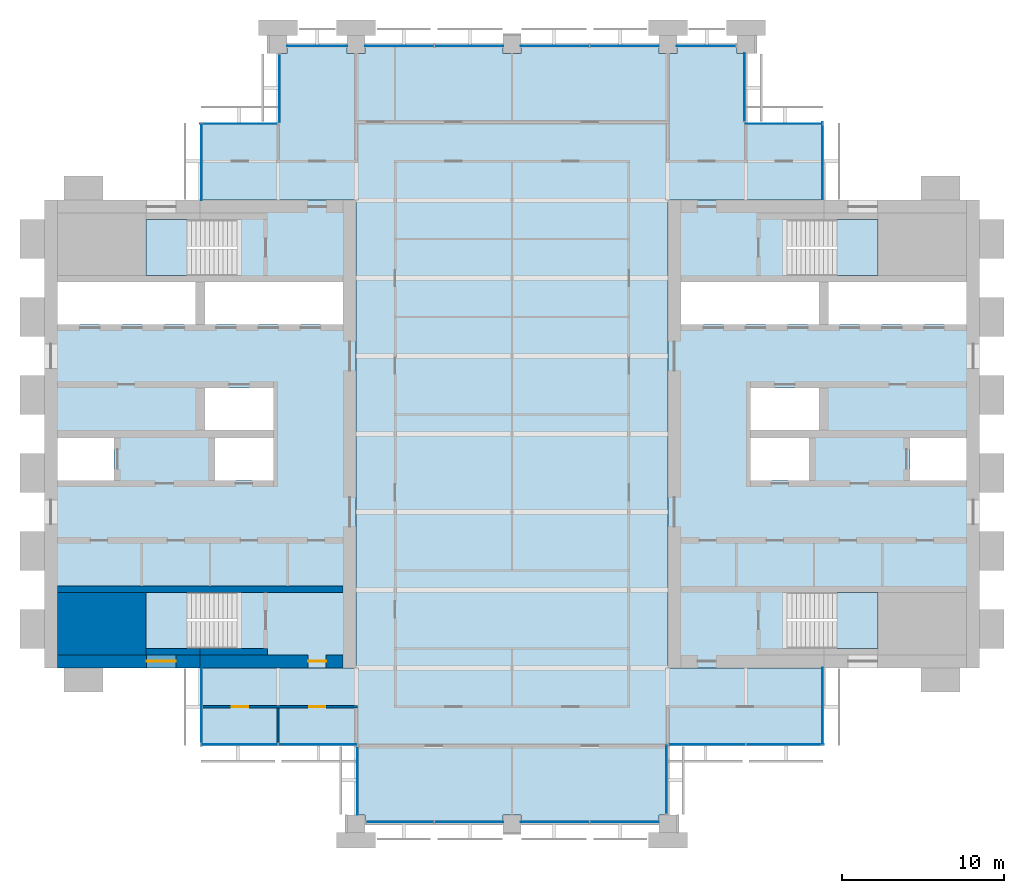
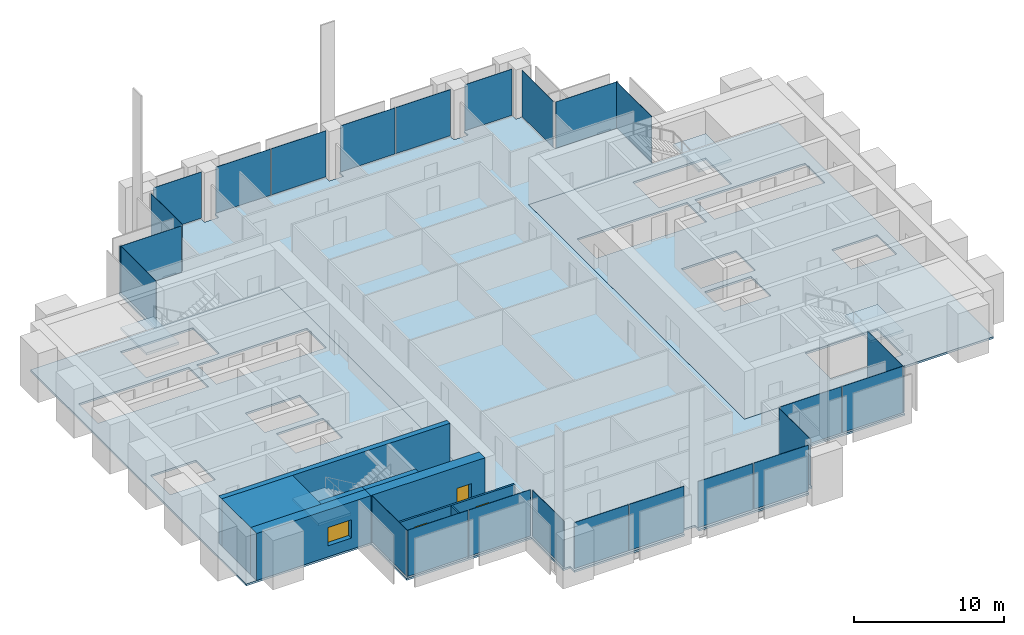
# One storey, part 7 of 13: 24 plates, 8 walls, 7 slabs, 3 doors, 1 window, 4 openings, 18 elements without a shape of their own.
"""IFC4 building model written with IfcOpenShell, lengths in metres."""

from ifc_helpers import new_model, si_unit, direction, frame, frame_2d, origin, origin_2d, place, context, subcontext, project, spatial, polyline, rectangle, outline, extrude, material, layer, layer_set, type_object, element, fill, aggregate, save


model = new_model("IFC4")

# Units and contexts
model_context = context("Model", 3, precision=1e-05, world=origin(), true_north=direction((0.0, 1.0)))
body_context = subcontext(model_context, "Body", "Model", "MODEL_VIEW")
ifc_project = project(units=[si_unit("LENGTHUNIT", "METRE"), si_unit("AREAUNIT", "SQUARE_METRE"), si_unit("VOLUMEUNIT", "CUBIC_METRE"), si_unit("PLANEANGLEUNIT", "RADIAN"), si_unit("MASSUNIT", "GRAM", prefix="KILO")], contexts=[model_context])

# Site, building, storey
site_placement = place(None, origin())
site = spatial("IfcSite", under=ifc_project, at=site_placement, CompositionType="ELEMENT")
building_placement = place(site_placement, origin())
building = spatial("IfcBuilding", under=site, at=building_placement, Name="Baori Bourse Tower", CompositionType="ELEMENT")
storey_placement = place(building_placement, frame((0.0, 0.0, 201.199951171875)))
storey = spatial("IfcBuildingStorey", under=building, at=storey_placement, Name="L43", CompositionType="ELEMENT", Elevation=201.199951171875)

# Curtain wall, plate
ifc_material_1 = material(Name="Pale anodised aluminium", Category="aluminium")
curtain_wall_type_1 = type_object("IfcCurtainWallType", Name="CW2 Curtain wall", PredefinedType="NOTDEFINED", material=ifc_material_1)
curtain_wall_1_placement = place(storey_placement, origin())
curtain_wall_1 = element("IfcCurtainWall", 1, at=curtain_wall_1_placement, inside=storey, type_object=curtain_wall_type_1, Name="Curtain wall CW2 L43 1", PredefinedType="NOTDEFINED")
ifc_material_2 = material(Name="Clear glass", Category="glass")
ifc_layer_1 = layer(ifc_material_2, 0.030029296875)
ifc_layer_set_1 = layer_set([ifc_layer_1], Name="CW2 Curtain wall panel")
plate_type_1 = type_object("IfcPlateType", Name="CW2 Curtain wall panel", PredefinedType="CURTAIN_PANEL", material=ifc_layer_set_1)
plate_1_placement = place(storey_placement, frame((47.909912109375, 40.827392578125, 0.070068359375), z_axis=(0.0, 0.0, 1.0), x_axis=(0.0, 1.0, 0.0)))
plate_1 = element("IfcPlate", 2, at=plate_1_placement, type_object=plate_type_1, Name="Curtain wall CW2 panel", PredefinedType="CURTAIN_PANEL", context=body_context, shape_type="SweptSolid", body=[
    extrude(rectangle(XDim=4.7451171875, YDim=0.030029296875, at=origin_2d()), origin(), (0.0, 0.0, 1.0), 3.77001953125),
])
aggregate(curtain_wall_1, [plate_1])

curtain_wall_2_placement = place(storey_placement, origin())
curtain_wall_2 = element("IfcCurtainWall", 3, at=curtain_wall_2_placement, inside=storey, type_object=curtain_wall_type_1, Name="Curtain wall CW2 L43 2", PredefinedType="NOTDEFINED")
plate_2_placement = place(storey_placement, frame((45.572509765625, 43.110107421875, 0.070068359375), z_axis=(0.0, 0.0, 1.0), x_axis=(-1.0, 0.0, 0.0)))
plate_2 = element("IfcPlate", 4, at=plate_2_placement, type_object=plate_type_1, Name="Curtain wall CW2 panel", PredefinedType="CURTAIN_PANEL", context=body_context, shape_type="SweptSolid", body=[
    extrude(rectangle(XDim=4.7451171875, YDim=0.030029296875, at=origin_2d()), origin(), (0.0, 0.0, 1.0), 3.77001953125),
])
aggregate(curtain_wall_2, [plate_2])

curtain_wall_3_placement = place(storey_placement, origin())
curtain_wall_3 = element("IfcCurtainWall", 5, at=curtain_wall_3_placement, inside=storey, type_object=curtain_wall_type_1, Name="Curtain wall CW2 L43 3", PredefinedType="NOTDEFINED")
plate_3_placement = place(storey_placement, frame((43.110107421875, 45.3525390625, 0.070068359375), z_axis=(0.0, 0.0, 1.0), x_axis=(0.0, 1.0, 0.0)))
plate_3 = element("IfcPlate", 6, at=plate_3_placement, type_object=plate_type_1, Name="Curtain wall CW2 panel", PredefinedType="CURTAIN_PANEL", context=body_context, shape_type="SweptSolid", body=[
    extrude(rectangle(XDim=4.195068359375, YDim=0.030029296875, at=origin_2d()), origin(), (0.0, 0.0, 1.0), 3.77001953125),
])
aggregate(curtain_wall_3, [plate_3])

curtain_wall_4_placement = place(storey_placement, origin())
curtain_wall_4 = element("IfcCurtainWall", 7, at=curtain_wall_4_placement, inside=storey, type_object=curtain_wall_type_1, Name="Curtain wall CW2 L43 5", PredefinedType="NOTDEFINED")
plate_4_placement = place(storey_placement, frame((14.489990234375, 45.297607421875, 0.070068359375), z_axis=(0.0, 0.0, 1.0), x_axis=(0.0, -1.0, 0.0)))
plate_4 = element("IfcPlate", 8, at=plate_4_placement, type_object=plate_type_1, Name="Curtain wall CW2 panel", PredefinedType="CURTAIN_PANEL", context=body_context, shape_type="SweptSolid", body=[
    extrude(rectangle(XDim=4.195068359375, YDim=0.030029296875, at=origin_2d()), origin(), (0.0, 0.0, 1.0), 3.77001953125),
])
aggregate(curtain_wall_4, [plate_4])

curtain_wall_5_placement = place(storey_placement, origin())
curtain_wall_5 = element("IfcCurtainWall", 9, at=curtain_wall_5_placement, inside=storey, type_object=curtain_wall_type_1, Name="Curtain wall CW2 L43 6", PredefinedType="NOTDEFINED")
plate_5_placement = place(storey_placement, frame((11.972412109375, 43.110107421875, 0.070068359375), z_axis=(0.0, 0.0, 1.0), x_axis=(-1.0, 0.0, 0.0)))
plate_5 = element("IfcPlate", 10, at=plate_5_placement, type_object=plate_type_1, Name="Curtain wall CW2 panel", PredefinedType="CURTAIN_PANEL", context=body_context, shape_type="SweptSolid", body=[
    extrude(rectangle(XDim=4.7451171875, YDim=0.030029296875, at=origin_2d()), origin(), (0.0, 0.0, 1.0), 3.77001953125),
])
aggregate(curtain_wall_5, [plate_5])

curtain_wall_6_placement = place(storey_placement, origin())
curtain_wall_6 = element("IfcCurtainWall", 11, at=curtain_wall_6_placement, inside=storey, type_object=curtain_wall_type_1, Name="Curtain wall CW2 L43 7", PredefinedType="NOTDEFINED")
plate_6_placement = place(storey_placement, frame((9.68994140625, 40.7724609375, 0.070068359375), z_axis=(0.0, 0.0, 1.0), x_axis=(0.0, -1.0, 0.0)))
plate_6 = element("IfcPlate", 12, at=plate_6_placement, type_object=plate_type_1, Name="Curtain wall CW2 panel", PredefinedType="CURTAIN_PANEL", context=body_context, shape_type="SweptSolid", body=[
    extrude(rectangle(XDim=4.7451171875, YDim=0.030029296875, at=origin_2d()), origin(), (0.0, 0.0, 1.0), 3.77001953125),
])
aggregate(curtain_wall_6, [plate_6])

curtain_wall_7_placement = place(storey_placement, origin())
curtain_wall_7 = element("IfcCurtainWall", 13, at=curtain_wall_7_placement, inside=storey, type_object=curtain_wall_type_1, Name="Curtain wall CW2 L43 8", PredefinedType="NOTDEFINED")
plate_7_placement = place(storey_placement, frame((9.68994140625, 7.172607421875, 0.070068359375), z_axis=(0.0, 0.0, 1.0), x_axis=(0.0, -1.0, 0.0)))
plate_7 = element("IfcPlate", 14, at=plate_7_placement, type_object=plate_type_1, Name="Curtain wall CW2 panel", PredefinedType="CURTAIN_PANEL", context=body_context, shape_type="SweptSolid", body=[
    extrude(rectangle(XDim=4.7451171875, YDim=0.030029296875, at=origin_2d()), origin(), (0.0, 0.0, 1.0), 3.77001953125),
])
aggregate(curtain_wall_7, [plate_7])

# Curtain wall, plates
curtain_wall_8_placement = place(storey_placement, origin())
curtain_wall_8 = element("IfcCurtainWall", 15, at=curtain_wall_8_placement, inside=storey, type_object=curtain_wall_type_1, Name="Curtain wall CW2 L43 9", PredefinedType="NOTDEFINED")
plate_8_placement = place(storey_placement, frame((12.013671875, 4.889892578125, 0.070068359375), z_axis=(0.0, 0.0, 1.0), x_axis=(1.0, 0.0, 0.0)))
plate_8 = element("IfcPlate", 16, at=plate_8_placement, type_object=plate_type_1, Name="Curtain wall CW2 panel", PredefinedType="CURTAIN_PANEL", context=body_context, shape_type="SweptSolid", body=[
    extrude(rectangle(XDim=4.717529296875, YDim=0.030029296875, at=origin_2d()), origin(), (0.0, 0.0, 1.0), 3.77001953125),
])
plate_9_placement = place(storey_placement, frame((16.813720703125, 4.889892578125, 0.070068359375), z_axis=(0.0, 0.0, 1.0), x_axis=(1.0, 0.0, 0.0)))
plate_9 = element("IfcPlate", 17, at=plate_9_placement, type_object=plate_type_1, Name="Curtain wall CW2 panel", PredefinedType="CURTAIN_PANEL", context=body_context, shape_type="SweptSolid", body=[
    extrude(rectangle(XDim=4.7724609375, YDim=0.030029296875, at=origin_2d()), origin(), (0.0, 0.0, 1.0), 3.77001953125),
])
aggregate(curtain_wall_8, [plate_8, plate_9])

# Curtain wall, plate
curtain_wall_9_placement = place(storey_placement, origin())
curtain_wall_9 = element("IfcCurtainWall", 18, at=curtain_wall_9_placement, inside=storey, type_object=curtain_wall_type_1, Name="Curtain wall CW2 L43 10", PredefinedType="NOTDEFINED")
plate_10_placement = place(storey_placement, frame((19.2900390625, 2.6474609375, 0.070068359375), z_axis=(0.0, 0.0, 1.0), x_axis=(0.0, -1.0, 0.0)))
plate_10 = element("IfcPlate", 19, at=plate_10_placement, type_object=plate_type_1, Name="Curtain wall CW2 panel", PredefinedType="CURTAIN_PANEL", context=body_context, shape_type="SweptSolid", body=[
    extrude(rectangle(XDim=4.195068359375, YDim=0.030029296875, at=origin_2d()), origin(), (0.0, 0.0, 1.0), 3.77001953125),
])
aggregate(curtain_wall_9, [plate_10])

curtain_wall_10_placement = place(storey_placement, origin())
curtain_wall_10 = element("IfcCurtainWall", 20, at=curtain_wall_10_placement, inside=storey, type_object=curtain_wall_type_1, Name="Curtain wall CW2 L43 12", PredefinedType="NOTDEFINED")
plate_11_placement = place(storey_placement, frame((38.31005859375, 2.702392578125, 0.070068359375), z_axis=(0.0, 0.0, 1.0), x_axis=(0.0, 1.0, 0.0)))
plate_11 = element("IfcPlate", 21, at=plate_11_placement, type_object=plate_type_1, Name="Curtain wall CW2 panel", PredefinedType="CURTAIN_PANEL", context=body_context, shape_type="SweptSolid", body=[
    extrude(rectangle(XDim=4.195068359375, YDim=0.030029296875, at=origin_2d()), origin(), (0.0, 0.0, 1.0), 3.77001953125),
])
aggregate(curtain_wall_10, [plate_11])

# Curtain wall, plates
curtain_wall_11_placement = place(storey_placement, origin())
curtain_wall_11 = element("IfcCurtainWall", 22, at=curtain_wall_11_placement, inside=storey, type_object=curtain_wall_type_1, Name="Curtain wall CW2 L43 13", PredefinedType="NOTDEFINED")
plate_12_placement = place(storey_placement, frame((40.813720703125, 4.889892578125, 0.070068359375), z_axis=(0.0, 0.0, 1.0), x_axis=(1.0, 0.0, 0.0)))
plate_12 = element("IfcPlate", 23, at=plate_12_placement, type_object=plate_type_1, Name="Curtain wall CW2 panel", PredefinedType="CURTAIN_PANEL", context=body_context, shape_type="SweptSolid", body=[
    extrude(rectangle(XDim=4.717529296875, YDim=0.030029296875, at=origin_2d()), origin(), (0.0, 0.0, 1.0), 3.77001953125),
])
plate_13_placement = place(storey_placement, frame((45.61376953125, 4.889892578125, 0.070068359375), z_axis=(0.0, 0.0, 1.0), x_axis=(1.0, 0.0, 0.0)))
plate_13 = element("IfcPlate", 24, at=plate_13_placement, type_object=plate_type_1, Name="Curtain wall CW2 panel", PredefinedType="CURTAIN_PANEL", context=body_context, shape_type="SweptSolid", body=[
    extrude(rectangle(XDim=4.7724609375, YDim=0.030029296875, at=origin_2d()), origin(), (0.0, 0.0, 1.0), 3.77001953125),
])
aggregate(curtain_wall_11, [plate_12, plate_13])

# Curtain wall, plate
curtain_wall_12_placement = place(storey_placement, origin())
curtain_wall_12 = element("IfcCurtainWall", 25, at=curtain_wall_12_placement, inside=storey, type_object=curtain_wall_type_1, Name="Curtain wall CW2 L43 14", PredefinedType="NOTDEFINED")
plate_14_placement = place(storey_placement, frame((47.909912109375, 7.2275390625, 0.070068359375), z_axis=(0.0, 0.0, 1.0), x_axis=(0.0, 1.0, 0.0)))
plate_14 = element("IfcPlate", 26, at=plate_14_placement, type_object=plate_type_1, Name="Curtain wall CW2 panel", PredefinedType="CURTAIN_PANEL", context=body_context, shape_type="SweptSolid", body=[
    extrude(rectangle(XDim=4.7451171875, YDim=0.030029296875, at=origin_2d()), origin(), (0.0, 0.0, 1.0), 3.77001953125),
])
aggregate(curtain_wall_12, [plate_14])

# Curtain wall, plates
ifc_material_3 = material(Name="Pale anodised aluminium", Category="aluminium")
curtain_wall_type_2 = type_object("IfcCurtainWallType", Name="CW5 Curtain wall", PredefinedType="NOTDEFINED", material=ifc_material_3)
curtain_wall_13_placement = place(storey_placement, origin())
curtain_wall_13 = element("IfcCurtainWall", 27, at=curtain_wall_13_placement, inside=storey, type_object=curtain_wall_type_2, Name="Curtain wall CW5 L43 4", PredefinedType="NOTDEFINED")
ifc_material_4 = material(Name="Clear glass", Category="glass")
ifc_layer_2 = layer(ifc_material_4, 0.035888671875)
ifc_layer_set_2 = layer_set([ifc_layer_2], Name="CW5 Curtain wall panel")
plate_type_2 = type_object("IfcPlateType", Name="CW5 Curtain wall panel", PredefinedType="CURTAIN_PANEL", material=ifc_layer_set_2)
plate_15_placement = place(storey_placement, frame((40.767578125, 47.889892578125, 0.085205078125), z_axis=(0.0, 0.0, 1.0), x_axis=(-1.0, 0.0, 0.0)))
plate_15 = element("IfcPlate", 28, at=plate_15_placement, type_object=plate_type_2, Name="Curtain wall CW5 panel", PredefinedType="CURTAIN_PANEL", context=body_context, shape_type="SweptSolid", body=[
    extrude(rectangle(XDim=3.635009765625, YDim=0.035888671875, at=origin_2d()), origin(), (0.0, 0.0, 1.0), 3.7548828125),
])
plate_16_placement = place(storey_placement, frame((35.7412109375, 47.889892578125, 0.085205078125), z_axis=(0.0, 0.0, 1.0), x_axis=(-1.0, 0.0, 0.0)))
plate_16 = element("IfcPlate", 29, at=plate_16_placement, type_object=plate_type_2, Name="Curtain wall CW5 panel", PredefinedType="CURTAIN_PANEL", context=body_context, shape_type="SweptSolid", body=[
    extrude(rectangle(XDim=4.217529296875, YDim=0.035888671875, at=origin_2d()), origin(), (0.0, 0.0, 1.0), 3.7548828125),
])
plate_17_placement = place(storey_placement, frame((31.458740234375, 47.889892578125, 0.085205078125), z_axis=(0.0, 0.0, 1.0), x_axis=(-1.0, 0.0, 0.0)))
plate_17 = element("IfcPlate", 30, at=plate_17_placement, type_object=plate_type_2, Name="Curtain wall CW5 panel", PredefinedType="CURTAIN_PANEL", context=body_context, shape_type="SweptSolid", body=[
    extrude(rectangle(XDim=4.217529296875, YDim=0.035888671875, at=origin_2d()), origin(), (0.0, 0.0, 1.0), 3.7548828125),
])
plate_18_placement = place(storey_placement, frame((26.141357421875, 47.889892578125, 0.085205078125), z_axis=(0.0, 0.0, 1.0), x_axis=(-1.0, 0.0, 0.0)))
plate_18 = element("IfcPlate", 31, at=plate_18_placement, type_object=plate_type_2, Name="Curtain wall CW5 panel", PredefinedType="CURTAIN_PANEL", context=body_context, shape_type="SweptSolid", body=[
    extrude(rectangle(XDim=4.217529296875, YDim=0.035888671875, at=origin_2d()), origin(), (0.0, 0.0, 1.0), 3.7548828125),
])
plate_19_placement = place(storey_placement, frame((21.858642578125, 47.889892578125, 0.085205078125), z_axis=(0.0, 0.0, 1.0), x_axis=(-1.0, 0.0, 0.0)))
plate_19 = element("IfcPlate", 32, at=plate_19_placement, type_object=plate_type_2, Name="Curtain wall CW5 panel", PredefinedType="CURTAIN_PANEL", context=body_context, shape_type="SweptSolid", body=[
    extrude(rectangle(XDim=4.217529296875, YDim=0.035888671875, at=origin_2d()), origin(), (0.0, 0.0, 1.0), 3.7548828125),
])
plate_20_placement = place(storey_placement, frame((16.800048828125, 47.889892578125, 0.085205078125), z_axis=(0.0, 0.0, 1.0), x_axis=(-1.0, 0.0, 0.0)))
plate_20 = element("IfcPlate", 33, at=plate_20_placement, type_object=plate_type_2, Name="Curtain wall CW5 panel", PredefinedType="CURTAIN_PANEL", context=body_context, shape_type="SweptSolid", body=[
    extrude(rectangle(XDim=3.699951171875, YDim=0.035888671875, at=origin_2d()), origin(), (0.0, 0.0, 1.0), 3.7548828125),
])
aggregate(curtain_wall_13, [plate_15, plate_16, plate_17, plate_18, plate_19, plate_20])

curtain_wall_14_placement = place(storey_placement, origin())
curtain_wall_14 = element("IfcCurtainWall", 34, at=curtain_wall_14_placement, inside=storey, type_object=curtain_wall_type_2, Name="Curtain wall CW5 L43 11", PredefinedType="NOTDEFINED")
plate_21_placement = place(storey_placement, frame((21.891357421875, 0.110107421875, 0.085205078125), z_axis=(0.0, 0.0, 1.0), x_axis=(1.0, 0.0, 0.0)))
plate_21 = element("IfcPlate", 35, at=plate_21_placement, type_object=plate_type_2, Name="Curtain wall CW5 panel", PredefinedType="CURTAIN_PANEL", context=body_context, shape_type="SweptSolid", body=[
    extrude(rectangle(XDim=4.152587890625, YDim=0.035888671875, at=origin_2d()), origin(), (0.0, 0.0, 1.0), 3.7548828125),
])
plate_22_placement = place(storey_placement, frame((26.141357421875, 0.110107421875, 0.085205078125), z_axis=(0.0, 0.0, 1.0), x_axis=(1.0, 0.0, 0.0)))
plate_22 = element("IfcPlate", 36, at=plate_22_placement, type_object=plate_type_2, Name="Curtain wall CW5 panel", PredefinedType="CURTAIN_PANEL", context=body_context, shape_type="SweptSolid", body=[
    extrude(rectangle(XDim=4.217529296875, YDim=0.035888671875, at=origin_2d()), origin(), (0.0, 0.0, 1.0), 3.7548828125),
])
plate_23_placement = place(storey_placement, frame((31.458740234375, 0.110107421875, 0.085205078125), z_axis=(0.0, 0.0, 1.0), x_axis=(1.0, 0.0, 0.0)))
plate_23 = element("IfcPlate", 37, at=plate_23_placement, type_object=plate_type_2, Name="Curtain wall CW5 panel", PredefinedType="CURTAIN_PANEL", context=body_context, shape_type="SweptSolid", body=[
    extrude(rectangle(XDim=4.217529296875, YDim=0.035888671875, at=origin_2d()), origin(), (0.0, 0.0, 1.0), 3.7548828125),
])
plate_24_placement = place(storey_placement, frame((35.7412109375, 0.110107421875, 0.085205078125), z_axis=(0.0, 0.0, 1.0), x_axis=(1.0, 0.0, 0.0)))
plate_24 = element("IfcPlate", 38, at=plate_24_placement, type_object=plate_type_2, Name="Curtain wall CW5 panel", PredefinedType="CURTAIN_PANEL", context=body_context, shape_type="SweptSolid", body=[
    extrude(rectangle(XDim=4.217529296875, YDim=0.035888671875, at=origin_2d()), origin(), (0.0, 0.0, 1.0), 3.7548828125),
])
aggregate(curtain_wall_14, [plate_21, plate_22, plate_23, plate_24])

# Slabs
ifc_material_5 = material(Name="Concrete f'c 50 MPa", Category="concrete")
ifc_layer_3 = layer(ifc_material_5, 0.159912109375)
ifc_layer_set_3 = layer_set([ifc_layer_3], Name="Core slab 160")
slab_type_1 = type_object("IfcSlabType", Name="Core slab 160", PredefinedType="FLOOR", material=ifc_layer_set_3)
slab_1_placement = place(storey_placement, frame((0.0, 0.0, -0.159912109375)))
element("IfcSlab", 39, at=slab_1_placement, inside=storey, type_object=slab_type_1, Name="Core floor slab W01", PredefinedType="FLOOR", context=body_context, shape_type="SweptSolid", body=[
    extrude(outline(polyline([(19.199951171875, 38.39990234375), (0.0, 38.39990234375), (0.0, 9.60009765625), (19.199951171875, 9.60009765625), (19.199951171875, 38.39990234375)]), holes=[polyline([(9.89990234375, 33.35009765625), (18.39990234375, 33.35009765625), (18.39990234375, 30.75), (9.89990234375, 30.75), (9.89990234375, 33.35009765625)]), polyline([(10.5, 21.14990234375), (10.5, 23.75), (14.10009765625, 23.75), (14.10009765625, 21.14990234375), (10.5, 21.14990234375)]), polyline([(14.10009765625, 24.25), (9.89990234375, 24.25), (9.89990234375, 26.85009765625), (14.10009765625, 26.85009765625), (14.10009765625, 24.25)]), polyline([(6.25, 14.25), (11.84912109375, 14.25), (11.84912109375, 10.800048828125), (6.25, 10.800048828125), (6.25, 14.25)]), polyline([(11.84912109375, 37.199951171875), (11.84912109375, 33.75), (6.25, 33.75), (6.25, 37.199951171875), (11.84912109375, 37.199951171875)]), polyline([(0.800048828125, 30.75), (0.800048828125, 33.35009765625), (9.300048828125, 33.35009765625), (9.300048828125, 30.75), (0.800048828125, 30.75)]), polyline([(4.300048828125, 23.75), (4.300048828125, 21.14990234375), (0.800048828125, 21.14990234375), (0.800048828125, 23.75), (4.300048828125, 23.75)])]), origin(), (0.0, 0.0, 1.0), 0.159912109375),
])
slab_2_placement = place(storey_placement, frame((0.0, 0.0, -0.159912109375)))
element("IfcSlab", 40, at=slab_2_placement, inside=storey, type_object=slab_type_1, Name="Core floor slab E01", PredefinedType="FLOOR", context=body_context, shape_type="SweptSolid", body=[
    extrude(outline(polyline([(57.60009765625, 9.60009765625), (57.60009765625, 38.39990234375), (38.39990234375, 38.39990234375), (38.39990234375, 9.60009765625), (57.60009765625, 9.60009765625)]), holes=[polyline([(48.300048828125, 33.35009765625), (56.800048828125, 33.35009765625), (56.800048828125, 30.75), (48.300048828125, 30.75), (48.300048828125, 33.35009765625)]), polyline([(56.800048828125, 21.14990234375), (53.300048828125, 21.14990234375), (53.300048828125, 23.75), (56.800048828125, 23.75), (56.800048828125, 21.14990234375)]), polyline([(45.750732421875, 14.25), (51.35009765625, 14.25), (51.35009765625, 10.800048828125), (45.750732421875, 10.800048828125), (45.750732421875, 14.25)]), polyline([(51.35009765625, 37.199951171875), (51.35009765625, 33.75), (45.750732421875, 33.75), (45.750732421875, 37.199951171875), (51.35009765625, 37.199951171875)]), polyline([(43.5, 24.25), (43.5, 26.85009765625), (47.699951171875, 26.85009765625), (47.699951171875, 24.25), (43.5, 24.25)]), polyline([(47.699951171875, 33.35009765625), (47.699951171875, 30.75), (39.199951171875, 30.75), (39.199951171875, 33.35009765625), (47.699951171875, 33.35009765625)]), polyline([(43.5, 23.75), (47.10009765625, 23.75), (47.10009765625, 21.14990234375), (43.5, 21.14990234375), (43.5, 23.75)])]), origin(), (0.0, 0.0, 1.0), 0.159912109375),
])

# Stair, slab
ifc_material_6 = material(Name="Concrete f'c 50 MPa", Category="concrete")
stair_type = type_object("IfcStairType", Name="Core stair", PredefinedType="HALF_TURN_STAIR", material=ifc_material_6)
stair_1_placement = place(storey_placement, origin())
stair_1 = element("IfcStair", 41, at=stair_1_placement, inside=storey, type_object=stair_type, Name="L43 Stair WA", PredefinedType="HALF_TURN_STAIR")
ifc_material_7 = material(Name="Concrete f'c 50 MPa", Category="concrete")
slab_type_2 = type_object("IfcSlabType", Name="Core stair landing", PredefinedType="LANDING", material=ifc_material_7)
slab_3_placement = place(storey_placement, frame((0.0, 0.0, 1.800048828125)))
slab_3 = element("IfcSlab", 42, at=slab_3_placement, type_object=slab_type_2, Name="ST1 landing 1", PredefinedType="LANDING", context=body_context, shape_type="SweptSolid", body=[
    extrude(outline(polyline([(8.77001953125, 14.25), (6.25, 14.25), (6.25, 10.800048828125), (8.77001953125, 10.800048828125), (8.77001953125, 14.25)])), origin(), (0.0, 0.0, 1.0), 0.199951171875),
])
aggregate(stair_1, [slab_3])

stair_2_placement = place(storey_placement, origin())
stair_2 = element("IfcStair", 43, at=stair_2_placement, inside=storey, type_object=stair_type, Name="L43 Stair WB", PredefinedType="HALF_TURN_STAIR")
slab_4_placement = place(storey_placement, frame((0.0, 0.0, 1.800048828125)))
slab_4 = element("IfcSlab", 44, at=slab_4_placement, type_object=slab_type_2, Name="ST2 landing 1", PredefinedType="LANDING", context=body_context, shape_type="SweptSolid", body=[
    extrude(outline(polyline([(8.77001953125, 37.199951171875), (6.25, 37.199951171875), (6.25, 33.75), (8.77001953125, 33.75), (8.77001953125, 37.199951171875)])), origin(), (0.0, 0.0, 1.0), 0.199951171875),
])
aggregate(stair_2, [slab_4])

stair_3_placement = place(storey_placement, origin())
stair_3 = element("IfcStair", 45, at=stair_3_placement, inside=storey, type_object=stair_type, Name="L43 Stair EA", PredefinedType="HALF_TURN_STAIR")
slab_5_placement = place(storey_placement, frame((0.0, 0.0, 1.800048828125)))
slab_5 = element("IfcSlab", 46, at=slab_5_placement, type_object=slab_type_2, Name="ST3 landing 1", PredefinedType="LANDING", context=body_context, shape_type="SweptSolid", body=[
    extrude(outline(polyline([(48.830078125, 10.800048828125), (51.35009765625, 10.800048828125), (51.35009765625, 14.25), (48.830078125, 14.25), (48.830078125, 10.800048828125)])), origin(), (0.0, 0.0, 1.0), 0.199951171875),
])
aggregate(stair_3, [slab_5])

stair_4_placement = place(storey_placement, origin())
stair_4 = element("IfcStair", 47, at=stair_4_placement, inside=storey, type_object=stair_type, Name="L43 Stair EB", PredefinedType="HALF_TURN_STAIR")
slab_6_placement = place(storey_placement, frame((0.0, 0.0, 1.800048828125)))
slab_6 = element("IfcSlab", 48, at=slab_6_placement, type_object=slab_type_2, Name="ST4 landing 1", PredefinedType="LANDING", context=body_context, shape_type="SweptSolid", body=[
    extrude(outline(polyline([(48.830078125, 33.75), (51.35009765625, 33.75), (51.35009765625, 37.199951171875), (48.830078125, 37.199951171875), (48.830078125, 33.75)])), origin(), (0.0, 0.0, 1.0), 0.199951171875),
])
aggregate(stair_4, [slab_6])

# Slab
ifc_material_8 = material(Name="Concrete f'c 40 MPa", Category="concrete")
ifc_layer_4 = layer(ifc_material_8, 0.159912109375)
ifc_layer_set_4 = layer_set([ifc_layer_4], Name="Floor slab 160")
slab_type_3 = type_object("IfcSlabType", Name="Floor slab 160", PredefinedType="FLOOR", material=ifc_layer_set_4)
slab_7_placement = place(storey_placement, frame((0.0, 0.0, -0.159912109375)))
element("IfcSlab", 49, at=slab_7_placement, inside=storey, type_object=slab_type_3, Name="Floor slab L43", PredefinedType="FLOOR", context=body_context, shape_type="SweptSolid", body=[
    extrude(outline(polyline([(19.199951171875, 4.800048828125), (9.60009765625, 4.800048828125), (9.60009765625, 9.60009765625), (19.199951171875, 9.60009765625), (19.199951171875, 38.39990234375), (9.60009765625, 38.39990234375), (9.60009765625, 43.199951171875), (14.39990234375, 43.199951171875), (14.39990234375, 47.449951171875), (14.949951171875, 47.449951171875), (14.949951171875, 48.0), (18.64990234375, 48.0), (18.64990234375, 47.449951171875), (19.75, 47.449951171875), (19.75, 48.0), (28.25, 48.0), (28.25, 47.449951171875), (29.35009765625, 47.449951171875), (29.35009765625, 48.0), (37.85009765625, 48.0), (37.85009765625, 47.449951171875), (38.949951171875, 47.449951171875), (38.949951171875, 48.0), (42.64990234375, 48.0), (42.64990234375, 47.449951171875), (43.199951171875, 47.449951171875), (43.199951171875, 43.199951171875), (48.0, 43.199951171875), (48.0, 38.39990234375), (38.39990234375, 38.39990234375), (38.39990234375, 9.60009765625), (48.0, 9.60009765625), (48.0, 4.800048828125), (38.39990234375, 4.800048828125), (38.39990234375, 0.550048828125), (37.85009765625, 0.550048828125), (37.85009765625, 0.0), (29.35009765625, 0.0), (29.35009765625, 0.550048828125), (28.25, 0.550048828125), (28.25, 0.0), (19.75, 0.0), (19.75, 0.550048828125), (19.199951171875, 0.550048828125), (19.199951171875, 4.800048828125)])), origin(), (0.0, 0.0, 1.0), 0.159912109375),
])

# Wall
ifc_material_9 = material(Name="Concrete f'c 50 MPa", Category="concrete")
wall_type_1 = type_object("IfcWallType", Name="Core corner block f'c 50", PredefinedType="SHEAR", material=ifc_material_9)
wall_1_placement = place(storey_placement, frame((0.800048828125, 12.324951171875, 0.0), z_axis=(0.0, 0.0, 1.0), x_axis=(1.0, 0.0, 0.0)))
element("IfcWall", 50, at=wall_1_placement, inside=storey, type_object=wall_type_1, Name="Core wall W05", PredefinedType="SHEAR", context=body_context, shape_type="SweptSolid", body=[
    extrude(rectangle(XDim=5.449951171875, YDim=3.85009765625, at=frame_2d((2.72509765625, 0.0))), origin(), (0.0, 0.0, 1.0), 3.840087890625),
])

# Wall, opening, window
ifc_material_10 = material(Name="Concrete f'c 50 MPa", Category="concrete")
ifc_layer_5 = layer(ifc_material_10, 0.800048828125)
ifc_layer_set_5 = layer_set([ifc_layer_5], Name="Core wall 800 f'c 50")
wall_type_2 = type_object("IfcWallType", Name="Core wall 800 f'c 50", PredefinedType="SHEAR", material=ifc_layer_set_5)
wall_2_placement = place(storey_placement, frame((9.60009765625, 10.0, 0.0), z_axis=(0.0, 0.0, 1.0), x_axis=(-1.0, 0.0, 0.0)))
wall_2 = element("IfcWall", 51, at=wall_2_placement, inside=storey, type_object=wall_type_2, Name="Core wall W02", PredefinedType="SHEAR", context=body_context, shape_type="SweptSolid", body=[
    extrude(rectangle(XDim=8.800048828125, YDim=0.800048828125, at=frame_2d((4.39990234375, 0.0))), origin(), (0.0, 0.0, 1.0), 3.840087890625),
])
opening_1_placement = place(wall_2_placement, frame((1.5, 0.0, 0.89990234375)))
opening_1 = element("IfcOpeningElement", 52, at=opening_1_placement, cuts=wall_2, Name="Opening L43-KW103", PredefinedType="OPENING", context=body_context, shape_type="SweptSolid", body=[
    extrude(rectangle(XDim=1.800048828125, YDim=1.5, at=frame_2d((0.89990234375, 0.75))), frame((0.0, 0.409912109375, 0.0), z_axis=(0.0, -1.0, 0.0), x_axis=(1.0, 0.0, 0.0)), (0.0, 0.0, 1.0), 0.820068359375),
])
ifc_material_11 = material(Name="Pale anodised aluminium", Category="aluminium")
window_type = type_object("IfcWindowType", Name="Stair window 1800 x 1500", PartitioningType="SINGLE_PANEL", PredefinedType="WINDOW", material=ifc_material_11)
window_placement = place(opening_1_placement, origin())
window = element("IfcWindow", 53, at=window_placement, inside=storey, type_object=window_type, Name="Stair window W L43 3", OverallHeight=1.5, OverallWidth=1.800048828125, PartitioningType="SINGLE_PANEL", PredefinedType="WINDOW", context=body_context, shape_type="SweptSolid", body=[
    extrude(rectangle(XDim=1.800048828125, YDim=1.5, at=frame_2d((0.89990234375, 0.75))), frame((0.0, 0.030029296875, 0.0), z_axis=(0.0, -1.0, 0.0), x_axis=(1.0, 0.0, 0.0)), (0.0, 0.0, 1.0), 0.06005859375),
])
fill(opening_1, window)

# Wall, opening, door
wall_3_placement = place(storey_placement, frame((18.39990234375, 10.0, 0.0), z_axis=(0.0, 0.0, 1.0), x_axis=(-1.0, 0.0, 0.0)))
wall_3 = element("IfcWall", 54, at=wall_3_placement, inside=storey, type_object=wall_type_2, Name="Core wall W03", PredefinedType="SHEAR", context=body_context, shape_type="SweptSolid", body=[
    extrude(rectangle(XDim=8.7998046875, YDim=0.800048828125, at=frame_2d((4.39990234375, 0.0))), origin(), (0.0, 0.0, 1.0), 3.840087890625),
])
opening_2_placement = place(wall_3_placement, frame((1.050048828125, 0.0, 0.0)))
opening_2 = element("IfcOpeningElement", 55, at=opening_2_placement, cuts=wall_3, Name="Opening L43-D102", PredefinedType="OPENING", context=body_context, shape_type="SweptSolid", body=[
    extrude(rectangle(XDim=1.10009765625, YDim=2.10009765625, at=frame_2d((0.550048828125, 1.050048828125))), frame((0.0, 0.409912109375, 0.0), z_axis=(0.0, -1.0, 0.0), x_axis=(1.0, 0.0, 0.0)), (0.0, 0.0, 1.0), 0.820068359375),
])
ifc_material_12 = material(Name="Painted steel door", Category="steel")
door_type_1 = type_object("IfcDoorType", Name="Stair door 1100", OperationType="SINGLE_SWING_LEFT", PredefinedType="DOOR", material=ifc_material_12)
door_1_placement = place(opening_2_placement, origin())
door_1 = element("IfcDoor", 56, at=door_1_placement, inside=storey, type_object=door_type_1, Name="Stair vestibule door A W L43", OperationType="SINGLE_SWING_LEFT", OverallHeight=2.10009765625, OverallWidth=1.10009765625, PredefinedType="DOOR", context=body_context, shape_type="SweptSolid", body=[
    extrude(rectangle(XDim=1.10009765625, YDim=2.10009765625, at=frame_2d((0.550048828125, 1.050048828125))), frame((0.0, 0.02490234375, 0.0), z_axis=(0.0, -1.0, 0.0), x_axis=(1.0, 0.0, 0.0)), (0.0, 0.0, 1.0), 0.050048828125),
])
fill(opening_2, door_1)

# Wall, openings, doors
ifc_material_13 = material(Name="Gypsum board partition")
ifc_layer_6 = layer(ifc_material_13, 0.14990234375)
ifc_layer_set_6 = layer_set([ifc_layer_6], Name="Corridor partition 150")
wall_type_3 = type_object("IfcWallType", Name="Corridor partition 150", PredefinedType="PARTITIONING", material=ifc_layer_set_6)
wall_4_placement = place(storey_placement, frame((9.699951171875, 7.199951171875, 0.0), z_axis=(0.0, 0.0, 1.0), x_axis=(1.0, 0.0, 0.0)))
wall_4 = element("IfcWall", 57, at=wall_4_placement, inside=storey, type_object=wall_type_3, Name="Partition", PredefinedType="PARTITIONING", context=body_context, shape_type="SweptSolid", body=[
    extrude(rectangle(XDim=9.574951171875, YDim=0.14990234375, at=frame_2d((4.78759765625, 0.0))), origin(), (0.0, 0.0, 1.0), 2.869873046875),
])
opening_3_placement = place(wall_4_placement, frame((1.85009765625, 0.0, 0.0)))
opening_3 = element("IfcOpeningElement", 58, at=opening_3_placement, cuts=wall_4, Name="Opening L43-D03", PredefinedType="OPENING", context=body_context, shape_type="SweptSolid", body=[
    extrude(rectangle(XDim=1.0, YDim=2.10009765625, at=frame_2d((0.5, 1.050048828125))), frame((0.0, 0.0849609375, 0.0), z_axis=(0.0, -1.0, 0.0), x_axis=(1.0, 0.0, 0.0)), (0.0, 0.0, 1.0), 0.169921875),
])
opening_4_placement = place(wall_4_placement, frame((6.60009765625, 0.0, 0.0)))
opening_4 = element("IfcOpeningElement", 59, at=opening_4_placement, cuts=wall_4, Name="Opening L43-D04", PredefinedType="OPENING", context=body_context, shape_type="SweptSolid", body=[
    extrude(rectangle(XDim=1.0, YDim=2.10009765625, at=frame_2d((0.5, 1.050048828125))), frame((0.0, 0.0849609375, 0.0), z_axis=(0.0, -1.0, 0.0), x_axis=(1.0, 0.0, 0.0)), (0.0, 0.0, 1.0), 0.169921875),
])
ifc_material_14 = material(Name="Timber door leaf", Category="wood")
door_type_2 = type_object("IfcDoorType", Name="Door 1000 x 2100", OperationType="SINGLE_SWING_LEFT", PredefinedType="DOOR", material=ifc_material_14)
door_2_placement = place(opening_3_placement, origin())
door_2 = element("IfcDoor", 60, at=door_2_placement, inside=storey, type_object=door_type_2, Name="Door", OperationType="SINGLE_SWING_LEFT", OverallHeight=2.10009765625, OverallWidth=1.0, PredefinedType="DOOR", context=body_context, shape_type="SweptSolid", body=[
    extrude(rectangle(XDim=1.0, YDim=2.10009765625, at=frame_2d((0.5, 1.050048828125))), frame((0.0, 0.02490234375, 0.0), z_axis=(0.0, -1.0, 0.0), x_axis=(1.0, 0.0, 0.0)), (0.0, 0.0, 1.0), 0.050048828125),
])
fill(opening_3, door_2)
door_3_placement = place(opening_4_placement, origin())
door_3 = element("IfcDoor", 61, at=door_3_placement, inside=storey, type_object=door_type_2, Name="Door", OperationType="SINGLE_SWING_RIGHT", OverallHeight=2.10009765625, OverallWidth=1.0, PredefinedType="DOOR", context=body_context, shape_type="SweptSolid", body=[
    extrude(rectangle(XDim=1.0, YDim=2.10009765625, at=frame_2d((0.5, 1.050048828125))), frame((0.0, 0.02490234375, 0.0), z_axis=(0.0, -1.0, 0.0), x_axis=(1.0, 0.0, 0.0)), (0.0, 0.0, 1.0), 0.050048828125),
])
fill(opening_4, door_3)

# Walls
ifc_material_15 = material(Name="Gypsum board partition")
ifc_layer_7 = layer(ifc_material_15, 0.125)
ifc_layer_set_7 = layer_set([ifc_layer_7], Name="Partition 125")
wall_type_4 = type_object("IfcWallType", Name="Partition 125", PredefinedType="PARTITIONING", material=ifc_layer_set_7)
wall_5_placement = place(storey_placement, frame((14.39990234375, 4.89990234375, 0.0), z_axis=(0.0, 0.0, 1.0), x_axis=(0.0, 1.0, 0.0)))
element("IfcWall", 62, at=wall_5_placement, inside=storey, type_object=wall_type_4, Name="Partition", PredefinedType="PARTITIONING", context=body_context, shape_type="SweptSolid", body=[
    extrude(rectangle(XDim=2.22509765625, YDim=0.125, at=frame_2d((1.112548828125, 0.0))), origin(), (0.0, 0.0, 1.0), 2.869873046875),
])
ifc_material_16 = material(Name="Concrete f'c 50 MPa", Category="concrete")
ifc_layer_8 = layer(ifc_material_16, 0.39990234375)
ifc_layer_set_8 = layer_set([ifc_layer_8], Name="Shaft wall 400 f'c 50")
wall_type_5 = type_object("IfcWallType", Name="Shaft wall 400 f'c 50", PredefinedType="SHEAR", material=ifc_layer_set_8)
wall_6_placement = place(storey_placement, frame((6.25, 10.60009765625, 0.0), z_axis=(0.0, 0.0, 1.0), x_axis=(1.0, 0.0, 0.0)))
element("IfcWall", 63, at=wall_6_placement, inside=storey, type_object=wall_type_5, Name="Core wall W06", PredefinedType="SHEAR", context=body_context, shape_type="SweptSolid", body=[
    extrude(rectangle(XDim=3.35009765625, YDim=0.39990234375, at=frame_2d((1.675048828125, 0.0))), origin(), (0.0, 0.0, 1.0), 3.840087890625),
])
wall_7_placement = place(storey_placement, frame((9.60009765625, 10.60009765625, 0.0), z_axis=(0.0, 0.0, 1.0), x_axis=(1.0, 0.0, 0.0)))
element("IfcWall", 64, at=wall_7_placement, inside=storey, type_object=wall_type_5, Name="Core wall W07", PredefinedType="SHEAR", context=body_context, shape_type="SweptSolid", body=[
    extrude(rectangle(XDim=4.14990234375, YDim=0.39990234375, at=frame_2d((2.074951171875, 0.0))), origin(), (0.0, 0.0, 1.0), 3.840087890625),
])
wall_8_placement = place(storey_placement, frame((0.800048828125, 14.449951171875, 0.0), z_axis=(0.0, 0.0, 1.0), x_axis=(1.0, 0.0, 0.0)))
element("IfcWall", 65, at=wall_8_placement, inside=storey, type_object=wall_type_5, Name="Core wall W09", PredefinedType="SHEAR", context=body_context, shape_type="SweptSolid", body=[
    extrude(rectangle(XDim=17.599853515625, YDim=0.39990234375, at=frame_2d((8.7998046875, 0.0))), origin(), (0.0, 0.0, 1.0), 3.840087890625),
])

save(model, "model.ifc")
